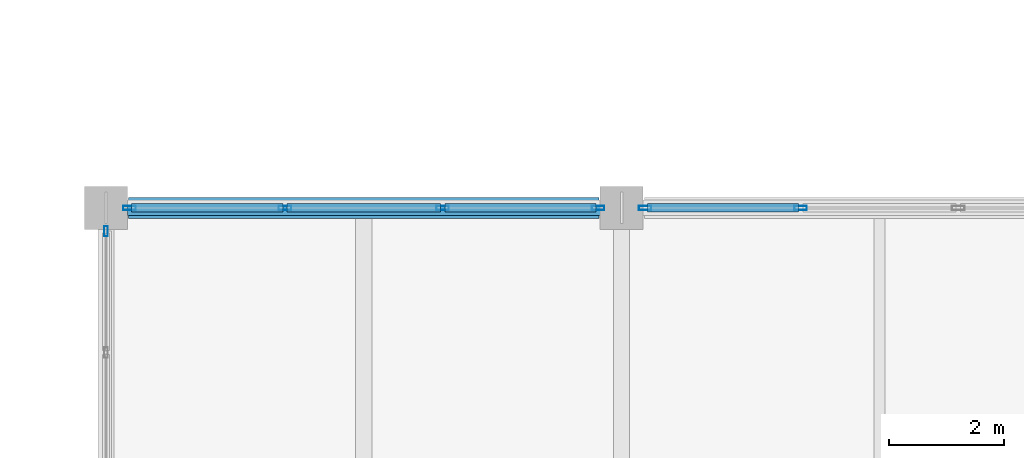
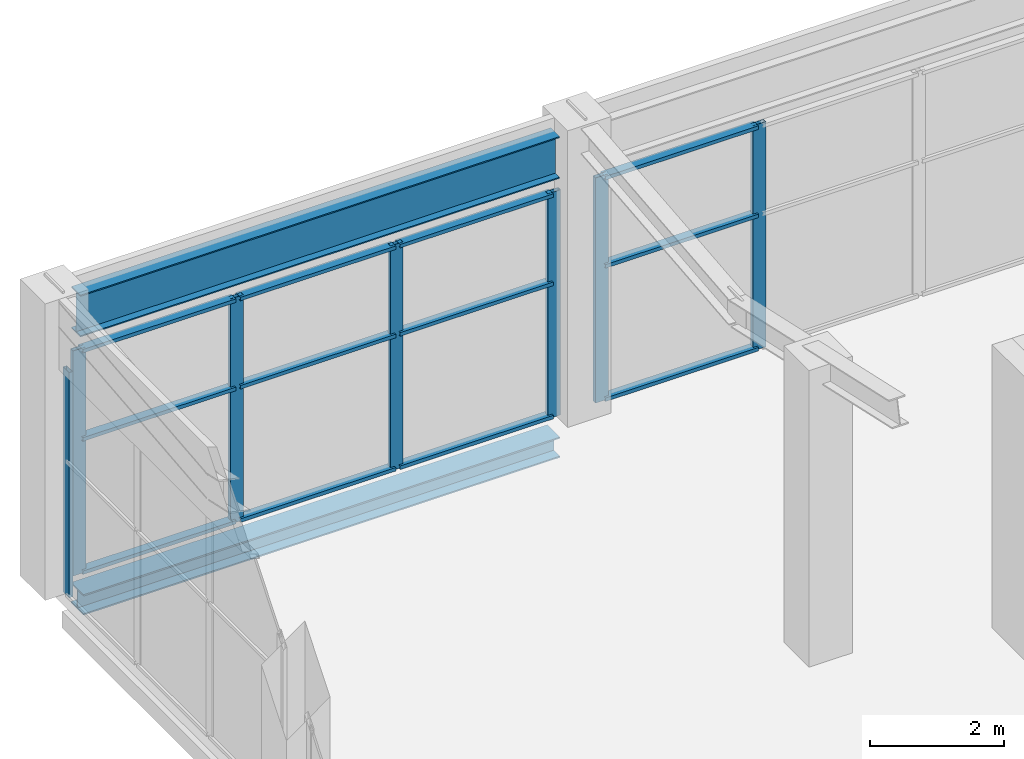
# One storey, part 86 of 189: 19 members, 2 beams, 3 elements without a shape of their own.
"""IFC4 building model written with IfcOpenShell, lengths in metres."""

from ifc_helpers import new_model, si_unit, direction, frame, origin, origin_2d, place, context, subcontext, project, spatial, hollow_rectangle, i_section, extrude, material, layer, layer_set, material_profile, profile_set, type_object, element, aggregate, save


model = new_model("IFC4")

# Units and contexts
model_context = context("Model", 3, precision=1e-05, world=origin(), true_north=direction((0.0, 1.0)))
body_context = subcontext(model_context, "Body", "Model", "MODEL_VIEW")
ifc_project = project(units=[si_unit("LENGTHUNIT", "METRE"), si_unit("AREAUNIT", "SQUARE_METRE"), si_unit("VOLUMEUNIT", "CUBIC_METRE"), si_unit("PLANEANGLEUNIT", "RADIAN"), si_unit("MASSUNIT", "GRAM", prefix="KILO")], contexts=[model_context])

# Site, building, storey
site_placement = place(None, origin())
site = spatial("IfcSite", under=ifc_project, at=site_placement, CompositionType="ELEMENT")
building_placement = place(site_placement, origin())
building = spatial("IfcBuilding", under=site, at=building_placement, Name="Celestram Park Convention Centre", CompositionType="ELEMENT")
storey_placement = place(building_placement, frame((0.0, 0.0, 5.39990234375)))
storey = spatial("IfcBuildingStorey", under=building, at=storey_placement, Name="L01", CompositionType="ELEMENT", Elevation=5.39990234375)

# Curtain wall, member
ifc_material_1 = material(Name="Anodised Aluminium Alloy 6063-T6", Category="aluminium")
ifc_layer_1 = layer(ifc_material_1, 0.179931640625)
ifc_layer_set_1 = layer_set([ifc_layer_1], Name="Anodised Aluminium Alloy 6063-T6")
curtain_wall_type_1 = type_object("IfcCurtainWallType", Name="ARC-CW-645X410", PredefinedType="NOTDEFINED", material=ifc_layer_set_1)
curtain_wall_1_placement = place(storey_placement, origin())
curtain_wall_1 = element("IfcCurtainWall", 1, at=curtain_wall_1_placement, inside=storey, type_object=curtain_wall_type_1, Name="Unitised curtain wall CU-L01-046", PredefinedType="NOTDEFINED")
ifc_material_profile_1 = material_profile(ifc_material_1, hollow_rectangle(XDim=0.06494140625, YDim=0.179931640625, WallThickness=0.00390625, at=origin_2d()), Name="ALU65X180X4")
ifc_profile_set_1 = profile_set([ifc_material_profile_1], Name="Anodised Aluminium Alloy 6063-T6")
member_type_1 = type_object("IfcMemberType", Name="ARC-CWM-150", PredefinedType="MULLION", material=ifc_profile_set_1)
member_1_placement = place(storey_placement, frame((0.0, 136.39453125, 0.0), z_axis=(0.0, 0.0, 1.0), x_axis=(-1.0, 0.0, 0.0)))
member_1 = element("IfcMember", 2, at=member_1_placement, type_object=member_type_1, Name="CW-64X41 mullion 4", PredefinedType="MULLION", context=body_context, shape_type="SweptSolid", body=[
    extrude(hollow_rectangle(XDim=0.06494140625, YDim=0.179931640625, WallThickness=0.00390625, at=origin_2d()), origin(), (0.0, 0.0, 1.0), 4.10009765625),
])
aggregate(curtain_wall_1, [member_1])

# Curtain wall, members
ifc_layer_2 = layer(ifc_material_1, 0.179931640625)
ifc_layer_set_2 = layer_set([ifc_layer_2], Name="Anodised Aluminium Alloy 6063-T6")
curtain_wall_type_2 = type_object("IfcCurtainWallType", Name="ARC-CW-825X410", PredefinedType="NOTDEFINED", material=ifc_layer_set_2)
curtain_wall_2_placement = place(storey_placement, origin())
curtain_wall_2 = element("IfcCurtainWall", 3, at=curtain_wall_2_placement, inside=storey, type_object=curtain_wall_type_2, Name="Unitised curtain wall CU-L01-047", PredefinedType="NOTDEFINED")
ifc_material_profile_2 = material_profile(ifc_material_1, hollow_rectangle(XDim=0.074951171875, YDim=0.219970703125, WallThickness=0.00390625, at=origin_2d()), Name="ALU75X220X4")
ifc_profile_set_2 = profile_set([ifc_material_profile_2], Name="Anodised Aluminium Alloy 6063-T6")
member_type_2 = type_object("IfcMemberType", Name="ARC-CWM-180", PredefinedType="MULLION", material=ifc_profile_set_2)
member_2_placement = place(storey_placement, frame((0.410400390625, 136.800048828125, 0.0), z_axis=(0.0, 0.0, 1.0), x_axis=(0.0, 1.0, 0.0)))
member_2 = element("IfcMember", 4, at=member_2_placement, type_object=member_type_2, Name="CW-82X41 mullion 1", PredefinedType="MULLION", context=body_context, shape_type="SweptSolid", body=[
    extrude(hollow_rectangle(XDim=0.074951171875, YDim=0.219970703125, WallThickness=0.00390625, at=origin_2d()), origin(), (0.0, 0.0, 1.0), 4.10009765625),
])
member_3_placement = place(storey_placement, frame((3.124267578125, 136.800048828125, 0.0), z_axis=(0.0, 0.0, 1.0), x_axis=(0.0, 1.0, 0.0)))
member_3 = element("IfcMember", 5, at=member_3_placement, type_object=member_type_2, Name="CW-82X41 mullion 2", PredefinedType="MULLION", context=body_context, shape_type="SweptSolid", body=[
    extrude(hollow_rectangle(XDim=0.074951171875, YDim=0.219970703125, WallThickness=0.00390625, at=origin_2d()), origin(), (0.0, 0.0, 1.0), 4.10009765625),
])
member_4_placement = place(storey_placement, frame((5.875732421875, 136.800048828125, 0.0), z_axis=(0.0, 0.0, 1.0), x_axis=(0.0, 1.0, 0.0)))
member_4 = element("IfcMember", 6, at=member_4_placement, type_object=member_type_2, Name="CW-82X41 mullion 3", PredefinedType="MULLION", context=body_context, shape_type="SweptSolid", body=[
    extrude(hollow_rectangle(XDim=0.074951171875, YDim=0.219970703125, WallThickness=0.00390625, at=origin_2d()), origin(), (0.0, 0.0, 1.0), 4.10009765625),
])
member_5_placement = place(storey_placement, frame((8.589599609375, 136.800048828125, 0.0), z_axis=(0.0, 0.0, 1.0), x_axis=(0.0, 1.0, 0.0)))
member_5 = element("IfcMember", 7, at=member_5_placement, type_object=member_type_2, Name="CW-82X41 mullion 4", PredefinedType="MULLION", context=body_context, shape_type="SweptSolid", body=[
    extrude(hollow_rectangle(XDim=0.074951171875, YDim=0.219970703125, WallThickness=0.00390625, at=origin_2d()), origin(), (0.0, 0.0, 1.0), 4.10009765625),
])

curtain_wall_3_placement = place(storey_placement, origin())
curtain_wall_3 = element("IfcCurtainWall", 8, at=curtain_wall_3_placement, inside=storey, type_object=curtain_wall_type_2, Name="Unitised curtain wall CU-L01-048", PredefinedType="NOTDEFINED")
member_6_placement = place(storey_placement, frame((9.410400390625, 136.800048828125, 0.0), z_axis=(0.0, 0.0, 1.0), x_axis=(0.0, 1.0, 0.0)))
member_6 = element("IfcMember", 9, at=member_6_placement, type_object=member_type_2, Name="CW-82X41 mullion 1", PredefinedType="MULLION", context=body_context, shape_type="SweptSolid", body=[
    extrude(hollow_rectangle(XDim=0.074951171875, YDim=0.219970703125, WallThickness=0.00390625, at=origin_2d()), origin(), (0.0, 0.0, 1.0), 4.10009765625),
])
member_7_placement = place(storey_placement, frame((12.124267578125, 136.800048828125, 0.0), z_axis=(0.0, 0.0, 1.0), x_axis=(0.0, 1.0, 0.0)))
member_7 = element("IfcMember", 10, at=member_7_placement, type_object=member_type_2, Name="CW-82X41 mullion 2", PredefinedType="MULLION", context=body_context, shape_type="SweptSolid", body=[
    extrude(hollow_rectangle(XDim=0.074951171875, YDim=0.219970703125, WallThickness=0.00390625, at=origin_2d()), origin(), (0.0, 0.0, 1.0), 4.10009765625),
])

# Member
ifc_material_profile_3 = material_profile(ifc_material_1, hollow_rectangle(XDim=0.14990234375, YDim=0.06494140625, WallThickness=0.0029296875, at=origin_2d()), Name="ALU150X65X3")
ifc_profile_set_3 = profile_set([ifc_material_profile_3], Name="Anodised Aluminium Alloy 6063-T6")
member_type_3 = type_object("IfcMemberType", Name="ARC-CWT-150", PredefinedType="USERDEFINED", material=ifc_profile_set_3)
member_8_placement = place(storey_placement, frame((0.447998046875, 136.800048828125, 0.03271484375), z_axis=(1.0, 0.0, 0.0), x_axis=(0.0, 1.0, 0.0)))
member_8 = element("IfcMember", 11, at=member_8_placement, type_object=member_type_3, Name="CW-82X41 transom 1.1", ObjectType="TRANSOM", PredefinedType="USERDEFINED", context=body_context, shape_type="SweptSolid", body=[
    extrude(hollow_rectangle(XDim=0.14990234375, YDim=0.06494140625, WallThickness=0.0029296875, at=origin_2d()), origin(), (0.0, 0.0, 1.0), 2.638916015625),
])

member_9_placement = place(storey_placement, frame((0.447998046875, 136.800048828125, 2.460205078125), z_axis=(1.0, 0.0, 0.0), x_axis=(0.0, 1.0, 0.0)))
member_9 = element("IfcMember", 12, at=member_9_placement, type_object=member_type_3, Name="CW-82X41 transom 1.2", ObjectType="TRANSOM", PredefinedType="USERDEFINED", context=body_context, shape_type="SweptSolid", body=[
    extrude(hollow_rectangle(XDim=0.14990234375, YDim=0.06494140625, WallThickness=0.0029296875, at=origin_2d()), origin(), (0.0, 0.0, 1.0), 2.638916015625),
])

member_10_placement = place(storey_placement, frame((0.447998046875, 136.800048828125, 4.067626953125), z_axis=(1.0, 0.0, 0.0), x_axis=(0.0, 1.0, 0.0)))
member_10 = element("IfcMember", 13, at=member_10_placement, type_object=member_type_3, Name="CW-82X41 transom 1.3", ObjectType="TRANSOM", PredefinedType="USERDEFINED", context=body_context, shape_type="SweptSolid", body=[
    extrude(hollow_rectangle(XDim=0.14990234375, YDim=0.06494140625, WallThickness=0.0029296875, at=origin_2d()), origin(), (0.0, 0.0, 1.0), 2.638916015625),
])

member_11_placement = place(storey_placement, frame((3.161865234375, 136.800048828125, 0.03271484375), z_axis=(1.0, 0.0, 0.0), x_axis=(0.0, 1.0, 0.0)))
member_11 = element("IfcMember", 14, at=member_11_placement, type_object=member_type_3, Name="CW-82X41 transom 2.1", ObjectType="TRANSOM", PredefinedType="USERDEFINED", context=body_context, shape_type="SweptSolid", body=[
    extrude(hollow_rectangle(XDim=0.14990234375, YDim=0.06494140625, WallThickness=0.0029296875, at=origin_2d()), origin(), (0.0, 0.0, 1.0), 2.67626953125),
])

member_12_placement = place(storey_placement, frame((3.161865234375, 136.800048828125, 2.460205078125), z_axis=(1.0, 0.0, 0.0), x_axis=(0.0, 1.0, 0.0)))
member_12 = element("IfcMember", 15, at=member_12_placement, type_object=member_type_3, Name="CW-82X41 transom 2.2", ObjectType="TRANSOM", PredefinedType="USERDEFINED", context=body_context, shape_type="SweptSolid", body=[
    extrude(hollow_rectangle(XDim=0.14990234375, YDim=0.06494140625, WallThickness=0.0029296875, at=origin_2d()), origin(), (0.0, 0.0, 1.0), 2.67626953125),
])

member_13_placement = place(storey_placement, frame((3.161865234375, 136.800048828125, 4.067626953125), z_axis=(1.0, 0.0, 0.0), x_axis=(0.0, 1.0, 0.0)))
member_13 = element("IfcMember", 16, at=member_13_placement, type_object=member_type_3, Name="CW-82X41 transom 2.3", ObjectType="TRANSOM", PredefinedType="USERDEFINED", context=body_context, shape_type="SweptSolid", body=[
    extrude(hollow_rectangle(XDim=0.14990234375, YDim=0.06494140625, WallThickness=0.0029296875, at=origin_2d()), origin(), (0.0, 0.0, 1.0), 2.67626953125),
])

member_14_placement = place(storey_placement, frame((5.9130859375, 136.800048828125, 0.03271484375), z_axis=(1.0, 0.0, 0.0), x_axis=(0.0, 1.0, 0.0)))
member_14 = element("IfcMember", 17, at=member_14_placement, type_object=member_type_3, Name="CW-82X41 transom 3.1", ObjectType="TRANSOM", PredefinedType="USERDEFINED", context=body_context, shape_type="SweptSolid", body=[
    extrude(hollow_rectangle(XDim=0.14990234375, YDim=0.06494140625, WallThickness=0.0029296875, at=origin_2d()), origin(), (0.0, 0.0, 1.0), 2.638916015625),
])

member_15_placement = place(storey_placement, frame((5.9130859375, 136.800048828125, 2.460205078125), z_axis=(1.0, 0.0, 0.0), x_axis=(0.0, 1.0, 0.0)))
member_15 = element("IfcMember", 18, at=member_15_placement, type_object=member_type_3, Name="CW-82X41 transom 3.2", ObjectType="TRANSOM", PredefinedType="USERDEFINED", context=body_context, shape_type="SweptSolid", body=[
    extrude(hollow_rectangle(XDim=0.14990234375, YDim=0.06494140625, WallThickness=0.0029296875, at=origin_2d()), origin(), (0.0, 0.0, 1.0), 2.638916015625),
])

member_16_placement = place(storey_placement, frame((5.9130859375, 136.800048828125, 4.067626953125), z_axis=(1.0, 0.0, 0.0), x_axis=(0.0, 1.0, 0.0)))
member_16 = element("IfcMember", 19, at=member_16_placement, type_object=member_type_3, Name="CW-82X41 transom 3.3", ObjectType="TRANSOM", PredefinedType="USERDEFINED", context=body_context, shape_type="SweptSolid", body=[
    extrude(hollow_rectangle(XDim=0.14990234375, YDim=0.06494140625, WallThickness=0.0029296875, at=origin_2d()), origin(), (0.0, 0.0, 1.0), 2.638916015625),
])

aggregate(curtain_wall_2, [member_2, member_3, member_4, member_5, member_8, member_9, member_10, member_11, member_12, member_13, member_14, member_15, member_16])

member_17_placement = place(storey_placement, frame((9.447998046875, 136.800048828125, 0.03271484375), z_axis=(1.0, 0.0, 0.0), x_axis=(0.0, 1.0, 0.0)))
member_17 = element("IfcMember", 20, at=member_17_placement, type_object=member_type_3, Name="CW-82X41 transom 1.1", ObjectType="TRANSOM", PredefinedType="USERDEFINED", context=body_context, shape_type="SweptSolid", body=[
    extrude(hollow_rectangle(XDim=0.14990234375, YDim=0.06494140625, WallThickness=0.0029296875, at=origin_2d()), origin(), (0.0, 0.0, 1.0), 2.638916015625),
])

member_18_placement = place(storey_placement, frame((9.447998046875, 136.800048828125, 2.460205078125), z_axis=(1.0, 0.0, 0.0), x_axis=(0.0, 1.0, 0.0)))
member_18 = element("IfcMember", 21, at=member_18_placement, type_object=member_type_3, Name="CW-82X41 transom 1.2", ObjectType="TRANSOM", PredefinedType="USERDEFINED", context=body_context, shape_type="SweptSolid", body=[
    extrude(hollow_rectangle(XDim=0.14990234375, YDim=0.06494140625, WallThickness=0.0029296875, at=origin_2d()), origin(), (0.0, 0.0, 1.0), 2.638916015625),
])

member_19_placement = place(storey_placement, frame((9.447998046875, 136.800048828125, 4.067626953125), z_axis=(1.0, 0.0, 0.0), x_axis=(0.0, 1.0, 0.0)))
member_19 = element("IfcMember", 22, at=member_19_placement, type_object=member_type_3, Name="CW-82X41 transom 1.3", ObjectType="TRANSOM", PredefinedType="USERDEFINED", context=body_context, shape_type="SweptSolid", body=[
    extrude(hollow_rectangle(XDim=0.14990234375, YDim=0.06494140625, WallThickness=0.0029296875, at=origin_2d()), origin(), (0.0, 0.0, 1.0), 2.638916015625),
])

aggregate(curtain_wall_3, [member_6, member_7, member_17, member_18, member_19])

# Beams
ifc_material_2 = material(Name="Steel ASTM A992 Grade 50", Category="steel")
ifc_material_profile_4 = material_profile(ifc_material_2, i_section(OverallWidth=0.26708984375, OverallDepth=0.761962890625, WebThickness=0.014404296875, FlangeThickness=0.021484375, at=origin_2d()), Name="W30X116")
ifc_profile_set_4 = profile_set([ifc_material_profile_4], Name="Steel ASTM A992 Grade 50")
beam_type_1 = type_object("IfcBeamType", Name="STR-BM-W30X116", PredefinedType="BEAM", material=ifc_profile_set_4)
beam_1_placement = place(storey_placement, frame((0.373046875, 136.800048828125, 4.76904296875), z_axis=(1.0, 0.0, 0.0), x_axis=(0.0, 1.0, 0.0)))
element("IfcBeam", 23, at=beam_1_placement, inside=storey, type_object=beam_type_1, Name="West pavilion eaves girder BG-L01-0616", PredefinedType="BEAM", context=body_context, shape_type="SweptSolid", body=[
    extrude(i_section(OverallWidth=0.26708984375, OverallDepth=0.761962890625, WebThickness=0.014404296875, FlangeThickness=0.021484375, at=origin_2d()), origin(), (0.0, 0.0, 1.0), 8.25390625),
])
ifc_material_profile_5 = material_profile(ifc_material_2, i_section(OverallWidth=0.373046875, OverallDepth=0.373046875, WebThickness=0.016357421875, FlangeThickness=0.026123046875, at=origin_2d()), Name="W14X132")
ifc_profile_set_5 = profile_set([ifc_material_profile_5], Name="Steel ASTM A992 Grade 50")
beam_type_2 = type_object("IfcBeamType", Name="STR-SPN-W14X132", PredefinedType="SPANDREL", material=ifc_profile_set_5)
beam_2_placement = place(storey_placement, frame((0.39794921875, 136.800048828125, -0.46630859375), z_axis=(1.0, 0.0, 0.0), x_axis=(0.0, 1.0, 0.0)))
element("IfcBeam", 24, at=beam_2_placement, inside=storey, type_object=beam_type_2, Name="Primary X-girder BG-L01-0009", PredefinedType="SPANDREL", context=body_context, shape_type="SweptSolid", body=[
    extrude(i_section(OverallWidth=0.373046875, OverallDepth=0.373046875, WebThickness=0.016357421875, FlangeThickness=0.026123046875, at=origin_2d()), origin(), (0.0, 0.0, 1.0), 8.2041015625),
])

save(model, "model.ifc")
